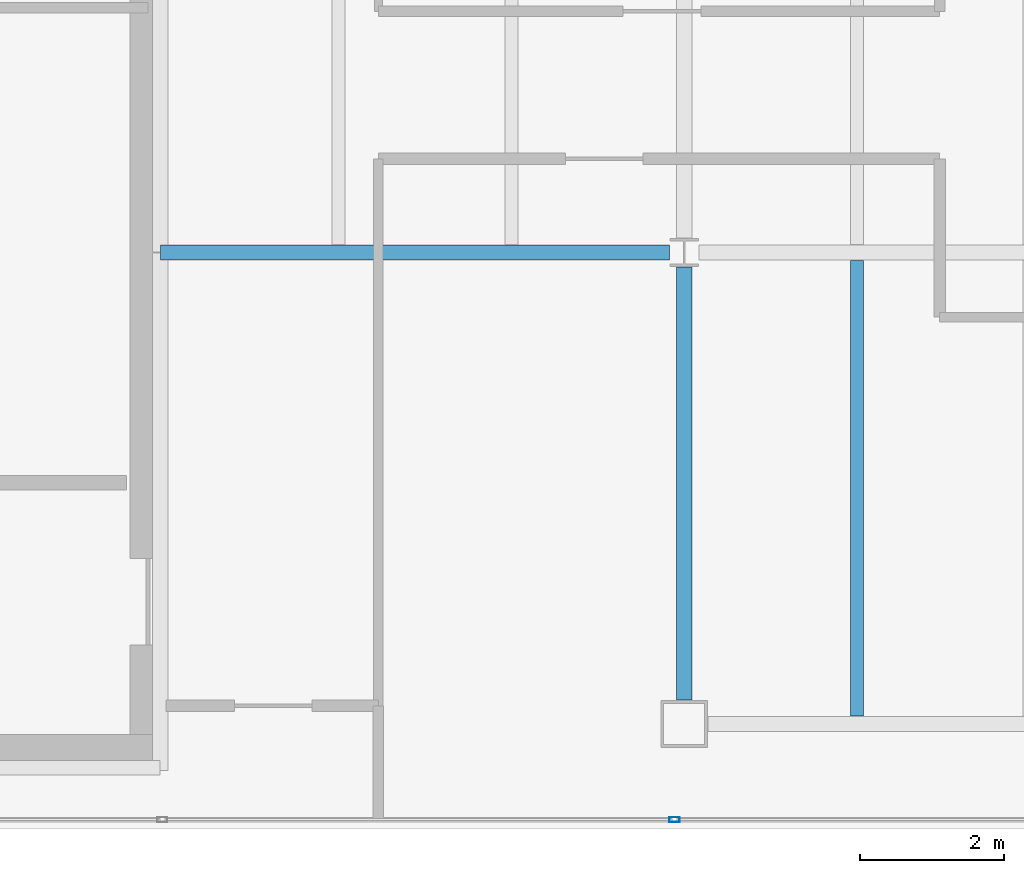
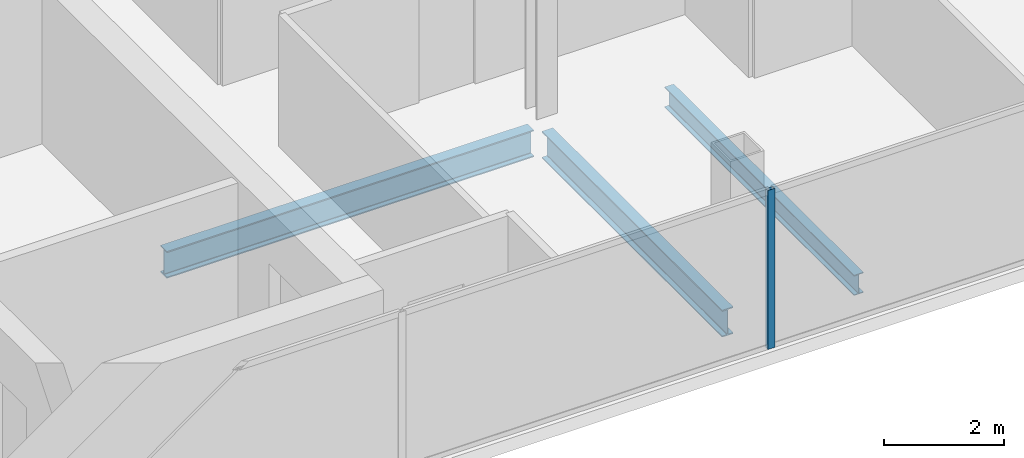
# One storey, part 5 of 23: 3 beams, 1 member, 1 element without a shape of its own.
"""IFC4 building model written with IfcOpenShell, lengths in metres."""

from ifc_helpers import new_model, si_unit, direction, frame, origin, origin_2d, place, context, subcontext, project, spatial, hollow_rectangle, i_section, extrude, material, material_profile, profile_set, type_object, element, aggregate, save


model = new_model("IFC4")

# Units and contexts
model_context = context("Model", 3, precision=1e-05, world=origin(), true_north=direction((0.0, 1.0)))
body_context = subcontext(model_context, "Body", "Model", "MODEL_VIEW")
ifc_project = project(units=[si_unit("LENGTHUNIT", "METRE"), si_unit("AREAUNIT", "SQUARE_METRE"), si_unit("VOLUMEUNIT", "CUBIC_METRE"), si_unit("PLANEANGLEUNIT", "RADIAN"), si_unit("MASSUNIT", "GRAM", prefix="KILO")], contexts=[model_context])

# Site, building, storey
site_placement = place(None, origin())
site = spatial("IfcSite", under=ifc_project, at=site_placement, CompositionType="ELEMENT")
building_placement = place(site_placement, origin())
building = spatial("IfcBuilding", under=site, at=building_placement, Name="Cobrela Telecom Tower", CompositionType="ELEMENT")
storey_placement = place(building_placement, frame((0.0, 0.0, 279.64990234375)))
storey = spatial("IfcBuildingStorey", under=building, at=storey_placement, Name="L73", CompositionType="ELEMENT", Elevation=279.64990234375)

# Beams
ifc_material_1 = material(Name="Steel ASTM A992 Grade 50", Category="steel")
ifc_material_profile_1 = material_profile(ifc_material_1, i_section(OverallWidth=0.212890625, OverallDepth=0.549072265625, WebThickness=0.0146484375, FlangeThickness=0.023681640625, FilletRadius=0.013916015625, at=origin_2d()), Name="W21X93")
ifc_profile_set_1 = profile_set([ifc_material_profile_1], Name="Steel ASTM A992 Grade 50")
beam_type_1 = type_object("IfcBeamType", Name="BM-GIRD-08", PredefinedType="USERDEFINED", material=ifc_profile_set_1)
beam_1_placement = place(storey_placement, frame((14.324951171875, 14.39990234375, -0.534423828125), z_axis=(1.0, 0.0, 0.0), x_axis=(0.0, 1.0, 0.0)))
element("IfcBeam", 1, at=beam_1_placement, inside=storey, type_object=beam_type_1, Name="L73 Primary Girder X05", ObjectType="GIRDER", PredefinedType="USERDEFINED", context=body_context, shape_type="SweptSolid", body=[
    extrude(i_section(OverallWidth=0.212890625, OverallDepth=0.549072265625, WebThickness=0.0146484375, FlangeThickness=0.023681640625, FilletRadius=0.013916015625, at=origin_2d()), origin(), (0.0, 0.0, 1.0), 7.070556640625),
])
beam_2_placement = place(storey_placement, frame((21.60009765625, 8.179931640625, -0.534423828125), z_axis=(0.0, 1.0, 0.0), x_axis=(-1.0, 0.0, 0.0)))
element("IfcBeam", 2, at=beam_2_placement, inside=storey, type_object=beam_type_1, Name="L73 Primary Girder Y27", ObjectType="GIRDER", PredefinedType="USERDEFINED", context=body_context, shape_type="SweptSolid", body=[
    extrude(i_section(OverallWidth=0.212890625, OverallDepth=0.549072265625, WebThickness=0.0146484375, FlangeThickness=0.023681640625, FilletRadius=0.013916015625, at=origin_2d()), origin(), (0.0, 0.0, 1.0), 6.015625),
])
ifc_material_profile_2 = material_profile(ifc_material_1, i_section(OverallWidth=0.179931640625, OverallDepth=0.4169921875, WebThickness=0.010986328125, FlangeThickness=0.01806640625, FilletRadius=0.011962890625, at=origin_2d()), Name="W16X57")
ifc_profile_set_2 = profile_set([ifc_material_profile_2], Name="Steel ASTM A992 Grade 50")
beam_type_2 = type_object("IfcBeamType", Name="BM-JOIST-04", PredefinedType="JOIST", material=ifc_profile_set_2)
beam_3_placement = place(storey_placement, frame((24.0, 7.96142578125, -0.468505859375), z_axis=(0.0, 1.0, 0.0), x_axis=(-1.0, 0.0, 0.0)))
element("IfcBeam", 3, at=beam_3_placement, inside=storey, type_object=beam_type_2, Name="L73 Secondary Composite Floor Beam J07", PredefinedType="JOIST", context=body_context, shape_type="SweptSolid", body=[
    extrude(i_section(OverallWidth=0.179931640625, OverallDepth=0.4169921875, WebThickness=0.010986328125, FlangeThickness=0.01806640625, FilletRadius=0.011962890625, at=origin_2d()), origin(), (0.0, 0.0, 1.0), 6.3271484375),
])

# Curtain wall, member
ifc_material_2 = material(Name="Anodized Bronze Aluminium 6063-T6", Category="aluminium")
curtain_wall_type = type_object("IfcCurtainWallType", Name="CW-SYS-OFF-HI", PredefinedType="USERDEFINED", material=ifc_material_2)
curtain_wall_placement = place(storey_placement, origin())
curtain_wall = element("IfcCurtainWall", 4, at=curtain_wall_placement, inside=storey, type_object=curtain_wall_type, Name="L73 Unitised Bronze Curtain Wall 15", ObjectType="UNITISED CURTAIN WALL", PredefinedType="USERDEFINED")
ifc_material_profile_3 = material_profile(ifc_material_2, hollow_rectangle(XDim=0.070068359375, YDim=0.139892578125, WallThickness=0.00390625, at=origin_2d()), Name="ALU 70x140x4")
ifc_profile_set_3 = profile_set([ifc_material_profile_3], Name="Anodized Bronze Aluminium 6063-T6")
member_type = type_object("IfcMemberType", Name="CW-SYS-OFF-HI-MUL", PredefinedType="MULLION", material=ifc_profile_set_3)
member_placement = place(storey_placement, frame((21.465087890625, 6.52001953125, 0.0), z_axis=(0.0, 0.0, 1.0), x_axis=(0.0, -1.0, 0.0)))
member = element("IfcMember", 5, at=member_placement, type_object=member_type, Name="CW-OFF-HI mullion 4", PredefinedType="MULLION", context=body_context, shape_type="SweptSolid", body=[
    extrude(hollow_rectangle(XDim=0.070068359375, YDim=0.139892578125, WallThickness=0.00390625, at=origin_2d()), origin(), (0.0, 0.0, 1.0), 3.239990234375),
])
aggregate(curtain_wall, [member])

save(model, "model.ifc")
